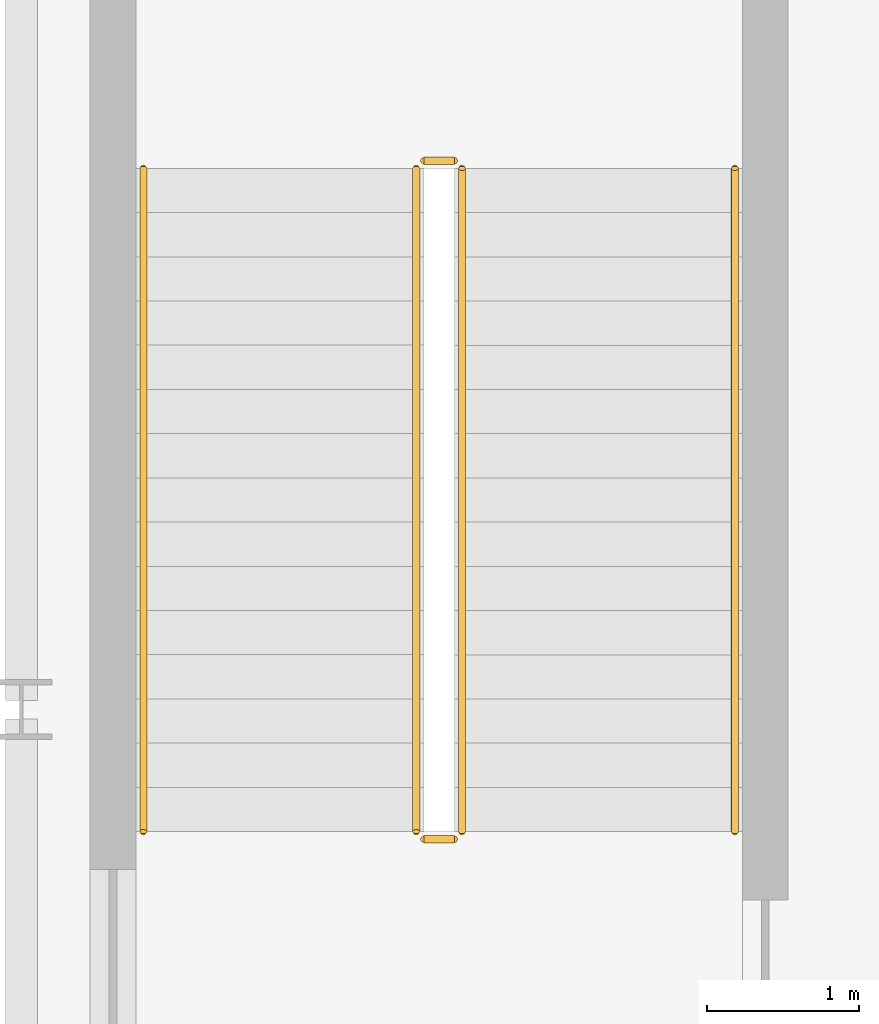
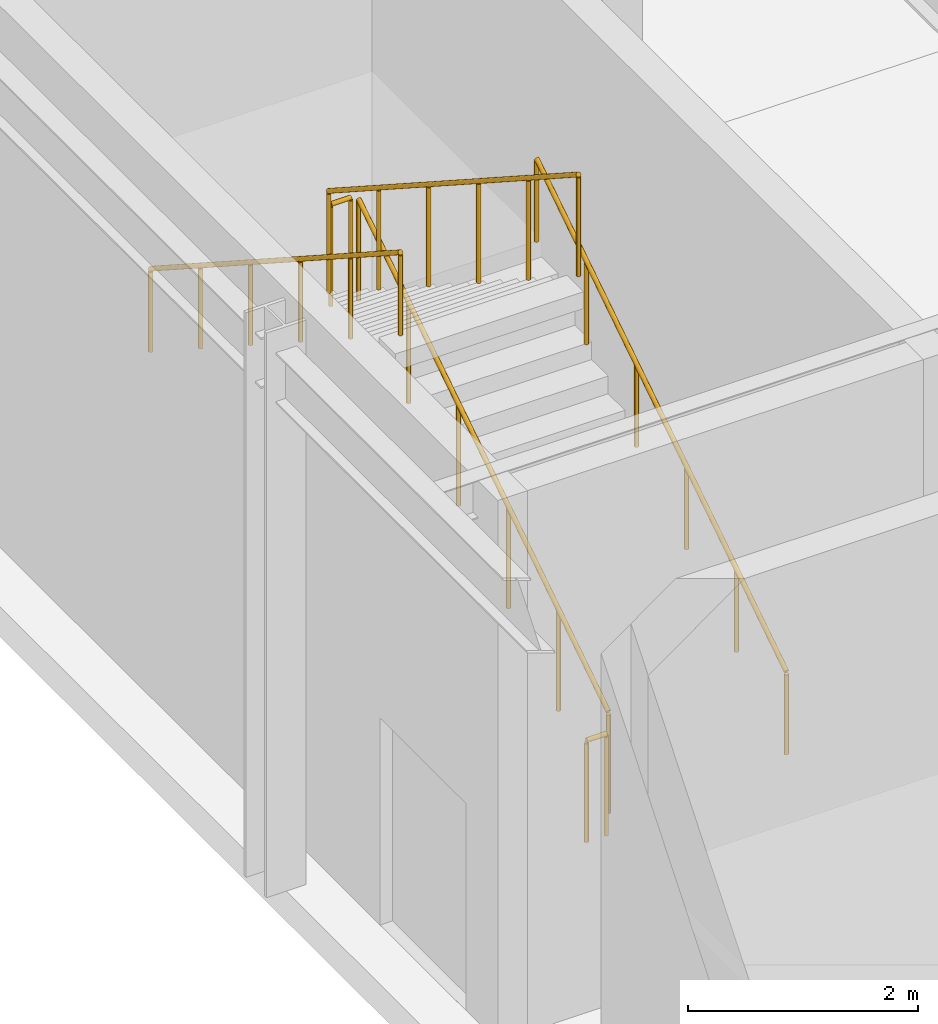
# One storey, part 71 of 82: 6 railings.
"""IFC4 building model written with IfcOpenShell, lengths in metres."""

from ifc_helpers import new_model, si_unit, direction, frame, origin, origin_2d, place, context, subcontext, project, spatial, circle, extrude, material, type_object, element, save


model = new_model("IFC4")

# Units and contexts
model_context = context("Model", 3, precision=1e-05, world=origin(), true_north=direction((0.0, 1.0)))
body_context = subcontext(model_context, "Body", "Model", "MODEL_VIEW")
ifc_project = project(units=[si_unit("LENGTHUNIT", "METRE"), si_unit("AREAUNIT", "SQUARE_METRE"), si_unit("VOLUMEUNIT", "CUBIC_METRE"), si_unit("PLANEANGLEUNIT", "RADIAN"), si_unit("MASSUNIT", "GRAM", prefix="KILO")], contexts=[model_context])

# Site, building, storey
site_placement = place(None, origin())
site = spatial("IfcSite", under=ifc_project, at=site_placement, CompositionType="ELEMENT")
building_placement = place(site_placement, origin())
building = spatial("IfcBuilding", under=site, at=building_placement, Name="Drelvath Fold Interchange", CompositionType="ELEMENT")
storey_placement = place(building_placement, origin())
storey = spatial("IfcBuildingStorey", under=building, at=storey_placement, Name="L00", CompositionType="ELEMENT", Elevation=0.0)

# Railings
ifc_material = material(Name="Stainless Steel 316L", Category="steel")
railing_type_1 = type_object("IfcRailingType", Name="RL-GRD1100", PredefinedType="GUARDRAIL", material=ifc_material)
railing_1_placement = place(storey_placement, frame((6.889892578125, 26.199951171875, 0.1875)))
element("IfcRailing", 1, at=railing_1_placement, inside=storey, type_object=railing_type_1, Name="L00 ST-02 stair guard 1", PredefinedType="GUARDRAIL", context=body_context, shape_type="SweptSolid", body=[
    extrude(circle(Radius=0.02392578125, at=origin_2d()), frame((0.0, 0.0, 1.076171875), z_axis=(0.0, 0.839769887392, 0.54294247967), x_axis=(-1.0, 0.0, 0.0)), (0.0, 0.0, 1.0), 5.18017578125),
    extrude(circle(Radius=0.02099609375, at=origin_2d()), origin(), (0.0, 0.0, 1.0), 1.052001953125),
    extrude(circle(Radius=0.02099609375, at=origin_2d()), frame((0.0, 0.8701171875, 0.5625)), (0.0, 0.0, 1.0), 1.052001953125),
    extrude(circle(Radius=0.02099609375, at=origin_2d()), frame((0.0, 1.739990234375, 1.125)), (0.0, 0.0, 1.0), 1.052001953125),
    extrude(circle(Radius=0.02099609375, at=origin_2d()), frame((0.0, 2.610107421875, 1.6875)), (0.0, 0.0, 1.0), 1.052001953125),
    extrude(circle(Radius=0.02099609375, at=origin_2d()), frame((0.0, 3.47998046875, 2.25)), (0.0, 0.0, 1.0), 1.052001953125),
    extrude(circle(Radius=0.02099609375, at=origin_2d()), frame((0.0, 4.35009765625, 2.8125)), (0.0, 0.0, 1.0), 1.052001953125),
])
railing_2_placement = place(storey_placement, frame((6.840087890625, 30.60009765625, 3.0)))
element("IfcRailing", 2, at=railing_2_placement, inside=storey, type_object=railing_type_1, Name="L00 ST-02 stair guard 2", PredefinedType="GUARDRAIL", context=body_context, shape_type="SweptSolid", body=[
    extrude(circle(Radius=0.02392578125, at=origin_2d()), frame((0.0, 0.0, 1.076171875), z_axis=(-1.0, 0.0, 0.0), x_axis=(0.0, -1.0, 0.0)), (0.0, 0.0, 1.0), 0.2001953125),
    extrude(circle(Radius=0.02099609375, at=origin_2d()), origin(), (0.0, 0.0, 1.0), 1.052001953125),
    extrude(circle(Radius=0.02099609375, at=origin_2d()), frame((-0.2001953125, 0.0, 0.0)), (0.0, 0.0, 1.0), 1.052001953125),
])
railing_3_placement = place(storey_placement, frame((6.590087890625, 30.550048828125, 3.1875)))
element("IfcRailing", 3, at=railing_3_placement, inside=storey, type_object=railing_type_1, Name="L00 ST-02 stair guard 3", PredefinedType="GUARDRAIL", context=body_context, shape_type="SweptSolid", body=[
    extrude(circle(Radius=0.02392578125, at=origin_2d()), frame((0.0, 0.0, 1.076171875), z_axis=(0.0, -0.839769887392, 0.54294247967), x_axis=(1.0, 0.0, 0.0)), (0.0, 0.0, 1.0), 5.18017578125),
    extrude(circle(Radius=0.02099609375, at=origin_2d()), origin(), (0.0, 0.0, 1.0), 1.052001953125),
    extrude(circle(Radius=0.02099609375, at=origin_2d()), frame((0.0, -0.8701171875, 0.5625)), (0.0, 0.0, 1.0), 1.052001953125),
    extrude(circle(Radius=0.02099609375, at=origin_2d()), frame((0.0, -1.739990234375, 1.125)), (0.0, 0.0, 1.0), 1.052001953125),
    extrude(circle(Radius=0.02099609375, at=origin_2d()), frame((0.0, -2.610107421875, 1.6875)), (0.0, 0.0, 1.0), 1.052001953125),
    extrude(circle(Radius=0.02099609375, at=origin_2d()), frame((0.0, -3.47998046875, 2.25)), (0.0, 0.0, 1.0), 1.052001953125),
    extrude(circle(Radius=0.02099609375, at=origin_2d()), frame((0.0, -4.35009765625, 2.8125)), (0.0, 0.0, 1.0), 1.052001953125),
])
railing_4_placement = place(storey_placement, frame((6.840087890625, 26.14990234375, 0.0)))
element("IfcRailing", 4, at=railing_4_placement, inside=storey, type_object=railing_type_1, Name="L00 ST-02 stair guard 4", PredefinedType="GUARDRAIL", context=body_context, shape_type="SweptSolid", body=[
    extrude(circle(Radius=0.02392578125, at=origin_2d()), frame((0.0, 0.0, 1.076171875), z_axis=(-1.0, 0.0, 0.0), x_axis=(0.0, -1.0, 0.0)), (0.0, 0.0, 1.0), 0.2001953125),
    extrude(circle(Radius=0.02099609375, at=origin_2d()), origin(), (0.0, 0.0, 1.0), 1.052001953125),
    extrude(circle(Radius=0.02099609375, at=origin_2d()), frame((-0.2001953125, 0.0, 0.0)), (0.0, 0.0, 1.0), 1.052001953125),
])
railing_type_2 = type_object("IfcRailingType", Name="RL-HND920", PredefinedType="HANDRAIL", material=ifc_material)
railing_5_placement = place(storey_placement, frame((8.679931640625, 26.199951171875, 0.1875)))
element("IfcRailing", 5, at=railing_5_placement, inside=storey, type_object=railing_type_2, Name="L00 ST-02 stair handrail 1", PredefinedType="HANDRAIL", context=body_context, shape_type="SweptSolid", body=[
    extrude(circle(Radius=0.02392578125, at=origin_2d()), frame((0.0, 0.0, 0.8759765625), z_axis=(0.0, 0.839769887392, 0.54294247967), x_axis=(-1.0, 0.0, 0.0)), (0.0, 0.0, 1.0), 5.18017578125),
    extrude(circle(Radius=0.02099609375, at=origin_2d()), origin(), (0.0, 0.0, 1.0), 0.851806640625),
    extrude(circle(Radius=0.02099609375, at=origin_2d()), frame((0.0, 0.8701171875, 0.5625)), (0.0, 0.0, 1.0), 0.851806640625),
    extrude(circle(Radius=0.02099609375, at=origin_2d()), frame((0.0, 1.739990234375, 1.125)), (0.0, 0.0, 1.0), 0.851806640625),
    extrude(circle(Radius=0.02099609375, at=origin_2d()), frame((0.0, 2.610107421875, 1.6875)), (0.0, 0.0, 1.0), 0.851806640625),
    extrude(circle(Radius=0.02099609375, at=origin_2d()), frame((0.0, 3.47998046875, 2.25)), (0.0, 0.0, 1.0), 0.851806640625),
    extrude(circle(Radius=0.02099609375, at=origin_2d()), frame((0.0, 4.35009765625, 2.8125)), (0.0, 0.0, 1.0), 0.851806640625),
])
railing_6_placement = place(storey_placement, frame((4.800048828125, 30.550048828125, 3.1875)))
element("IfcRailing", 6, at=railing_6_placement, inside=storey, type_object=railing_type_2, Name="L00 ST-02 stair handrail 2", PredefinedType="HANDRAIL", context=body_context, shape_type="SweptSolid", body=[
    extrude(circle(Radius=0.02392578125, at=origin_2d()), frame((0.0, 0.0, 0.8759765625), z_axis=(0.0, -0.839769887392, 0.54294247967), x_axis=(1.0, 0.0, 0.0)), (0.0, 0.0, 1.0), 5.18017578125),
    extrude(circle(Radius=0.02099609375, at=origin_2d()), origin(), (0.0, 0.0, 1.0), 0.851806640625),
    extrude(circle(Radius=0.02099609375, at=origin_2d()), frame((0.0, -0.8701171875, 0.5625)), (0.0, 0.0, 1.0), 0.851806640625),
    extrude(circle(Radius=0.02099609375, at=origin_2d()), frame((0.0, -1.739990234375, 1.125)), (0.0, 0.0, 1.0), 0.851806640625),
    extrude(circle(Radius=0.02099609375, at=origin_2d()), frame((0.0, -2.610107421875, 1.6875)), (0.0, 0.0, 1.0), 0.851806640625),
    extrude(circle(Radius=0.02099609375, at=origin_2d()), frame((0.0, -3.47998046875, 2.25)), (0.0, 0.0, 1.0), 0.851806640625),
    extrude(circle(Radius=0.02099609375, at=origin_2d()), frame((0.0, -4.35009765625, 2.8125)), (0.0, 0.0, 1.0), 0.851806640625),
])

save(model, "model.ifc")
